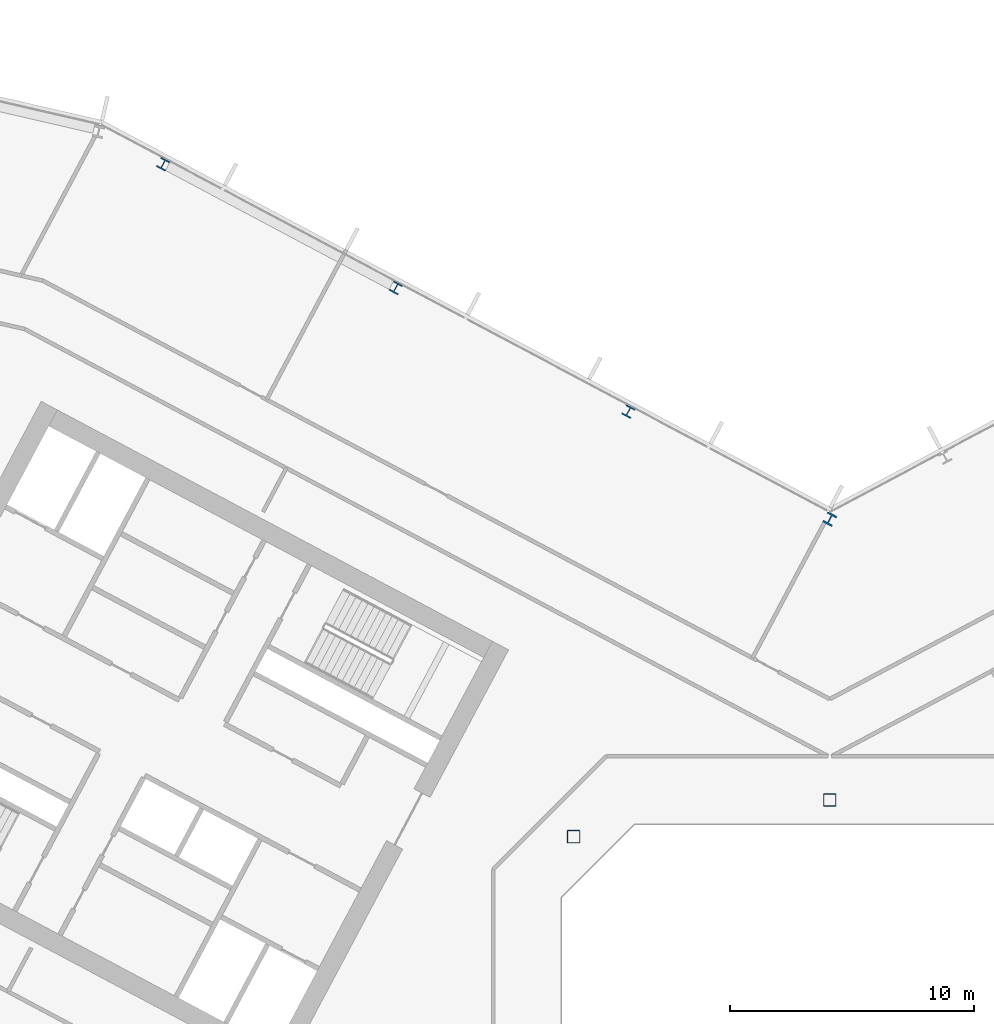
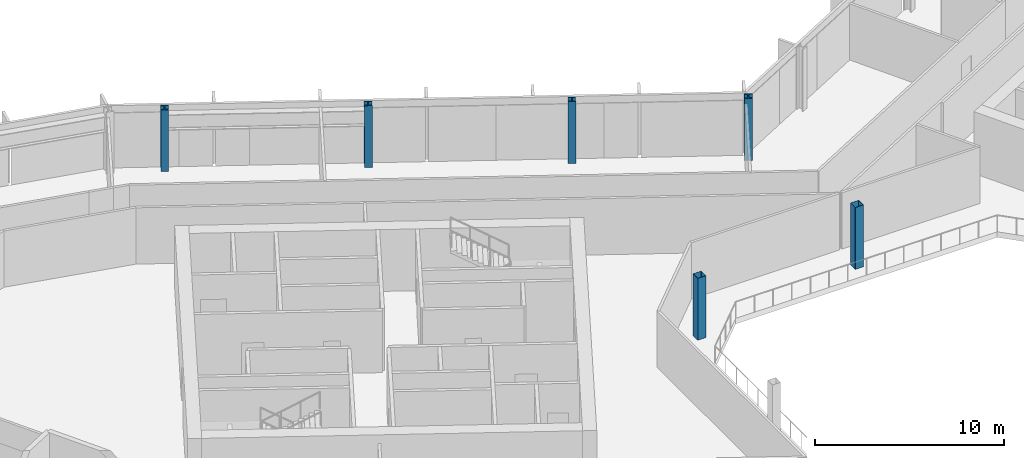
# One storey, part 4 of 28: 6 columns.
"""IFC4 building model written with IfcOpenShell, lengths in metres."""

from ifc_helpers import new_model, si_unit, direction, frame, origin, origin_2d, place, context, subcontext, project, spatial, hollow_rectangle, i_section, extrude, material, material_profile, profile_set, type_object, element, save


model = new_model("IFC4")

# Units and contexts
model_context = context("Model", 3, precision=1e-05, world=origin(), true_north=direction((0.0, 1.0)))
body_context = subcontext(model_context, "Body", "Model", "MODEL_VIEW")
ifc_project = project(units=[si_unit("LENGTHUNIT", "METRE"), si_unit("AREAUNIT", "SQUARE_METRE"), si_unit("VOLUMEUNIT", "CUBIC_METRE"), si_unit("PLANEANGLEUNIT", "RADIAN"), si_unit("MASSUNIT", "GRAM", prefix="KILO")], contexts=[model_context])

# Site, building, storey
site_placement = place(None, origin())
site = spatial("IfcSite", under=ifc_project, at=site_placement, CompositionType="ELEMENT")
building_placement = place(site_placement, origin())
building = spatial("IfcBuilding", under=site, at=building_placement, Name="Cormorant Relay Tower", CompositionType="ELEMENT")
storey_placement = place(building_placement, frame((0.0, 0.0, 138.199951171875)))
storey = spatial("IfcBuildingStorey", under=building, at=storey_placement, Name="L28", CompositionType="ELEMENT", Elevation=138.199951171875)

# Columns
ifc_material_1 = material(Name="Steel ASTM A500 Grade C (Fy 345 MPa)", Category="steel")
ifc_material_profile_1 = material_profile(ifc_material_1, hollow_rectangle(XDim=0.508056640625, YDim=0.508056640625, WallThickness=0.01171875, InnerFilletRadius=0.005859375, OuterFilletRadius=0.017822265625, at=origin_2d()), Name="HSS508x508x12")
ifc_profile_set_1 = profile_set([ifc_material_profile_1], Name="Steel ASTM A500 Grade C (Fy 345 MPa)")
column_type_1 = type_object("IfcColumnType", Name="Column HSS508x508x12", PredefinedType="COLUMN", material=ifc_profile_set_1)
for number, where, z_axis, x_axis, name in (
    (1, (-10.5, 10.5, 0.0), (0.0, 0.0, 1.0), (1.0, 0.0, 0.0), "Column L28-023"),
    (2, (0.0, 12.0, 0.0), (0.0, 0.0, 1.0), (1.0, 0.0, 0.0), "Column L28-025"),
):
    element("IfcColumn", number, at=place(storey_placement, frame(where, z_axis=z_axis, x_axis=x_axis)), inside=storey, type_object=column_type_1, Name=name, PredefinedType="COLUMN", context=body_context, shape_type="SweptSolid", body=[
        extrude(hollow_rectangle(XDim=0.508056640625, YDim=0.508056640625, WallThickness=0.01171875, InnerFilletRadius=0.005859375, OuterFilletRadius=0.017822265625, at=origin_2d()), origin(), (0.0, 0.0, 1.0), 4.0),
    ])
ifc_material_2 = material(Name="Steel ASTM A992 (Fy 345 MPa)", Category="steel")
ifc_material_profile_2 = material_profile(ifc_material_2, i_section(OverallWidth=0.41162109375, OverallDepth=0.434326171875, WebThickness=0.035888671875, FlangeThickness=0.057373046875, FilletRadius=0.01513671875, at=origin_2d()), Name="W360x463")
ifc_profile_set_2 = profile_set([ifc_material_profile_2], Name="Steel ASTM A992 (Fy 345 MPa)")
column_type_2 = type_object("IfcColumnType", Name="Column W360x463", PredefinedType="COLUMN", material=ifc_profile_set_2)
for number, where, z_axis, x_axis, name in (
    (3, (-8.257080078125, 27.925048828125, 0.0), (0.0, 0.0, 1.0), (-0.882947592859, 0.469471562786, 0.0), "Column L28-036"),
    (4, (-17.7919921875, 32.9951171875, 0.0), (0.0, 0.0, 1.0), (-0.882947592859, 0.469471562786, 0.0), "Column L28-040"),
    (5, (-27.327880859375, 38.06494140625, 0.0), (0.0, 0.0, 1.0), (-0.882947592859, 0.469471562786, 0.0), "Column L28-044"),
):
    element("IfcColumn", number, at=place(storey_placement, frame(where, z_axis=z_axis, x_axis=x_axis)), inside=storey, type_object=column_type_2, Name=name, PredefinedType="COLUMN", context=body_context, shape_type="SweptSolid", body=[
        extrude(i_section(OverallWidth=0.41162109375, OverallDepth=0.434326171875, WebThickness=0.035888671875, FlangeThickness=0.057373046875, FilletRadius=0.01513671875, at=origin_2d()), origin(), (0.0, 0.0, 1.0), 4.0),
    ])
ifc_material_3 = material(Name="Steel ASTM A992 (Fy 345 MPa)", Category="steel")
ifc_material_profile_3 = material_profile(ifc_material_3, i_section(OverallWidth=0.42431640625, OverallDepth=0.47509765625, WebThickness=0.0478515625, FlangeThickness=0.0771484375, FilletRadius=0.014892578125, at=origin_2d()), Name="W360x634")
ifc_profile_set_3 = profile_set([ifc_material_profile_3], Name="Steel ASTM A992 (Fy 345 MPa)")
column_type_3 = type_object("IfcColumnType", Name="Column W360x634", PredefinedType="COLUMN", material=ifc_profile_set_3)
column_placement = place(storey_placement, frame((0.0, 23.513916015625, 0.0), z_axis=(0.0, 0.0, 1.0), x_axis=(-0.882947592859, 0.469471562786, 0.0)))
element("IfcColumn", 6, at=column_placement, inside=storey, type_object=column_type_3, Name="Column L28-032", PredefinedType="COLUMN", context=body_context, shape_type="SweptSolid", body=[
    extrude(i_section(OverallWidth=0.42431640625, OverallDepth=0.47509765625, WebThickness=0.0478515625, FlangeThickness=0.0771484375, FilletRadius=0.014892578125, at=origin_2d()), origin(), (0.0, 0.0, 1.0), 4.0),
])

save(model, "model.ifc")
